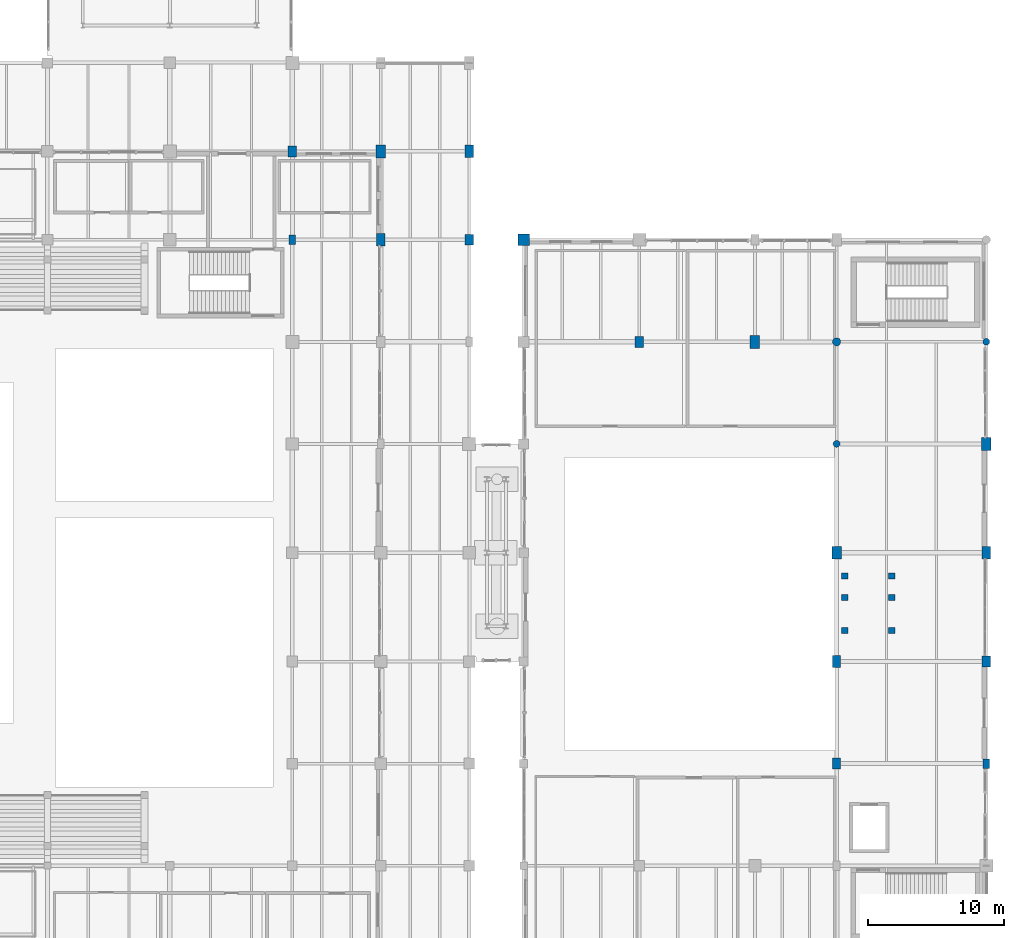
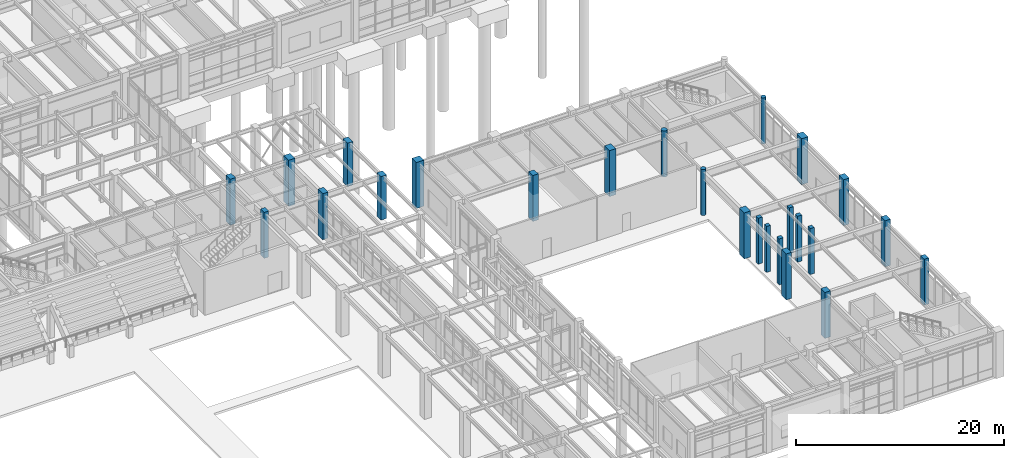
# One storey, part 20 of 203: 25 columns.
"""IFC4 building model written with IfcOpenShell, lengths in metres."""

from ifc_helpers import new_model, si_unit, direction, frame, origin, origin_2d, place, context, subcontext, project, spatial, rectangle, circle, extrude, material, material_profile, profile_set, type_object, element, save


model = new_model("IFC4")

# Units and contexts
model_context = context("Model", 3, precision=1e-05, world=origin(), true_north=direction((0.0, 1.0)))
body_context = subcontext(model_context, "Body", "Model", "MODEL_VIEW")
ifc_project = project(units=[si_unit("LENGTHUNIT", "METRE"), si_unit("AREAUNIT", "SQUARE_METRE"), si_unit("VOLUMEUNIT", "CUBIC_METRE"), si_unit("PLANEANGLEUNIT", "RADIAN"), si_unit("MASSUNIT", "GRAM", prefix="KILO"), si_unit("THERMODYNAMICTEMPERATUREUNIT", "KELVIN"), si_unit("POWERUNIT", "WATT")], contexts=[model_context])

# Site, building, storey
site_placement = place(None, origin())
site = spatial("IfcSite", under=ifc_project, at=site_placement, CompositionType="ELEMENT")
building_placement = place(site_placement, origin())
building = spatial("IfcBuilding", under=site, at=building_placement, Name="Tepalcoro Natatorium and Aquatics Centre", CompositionType="ELEMENT")
storey_placement = place(building_placement, origin())
storey = spatial("IfcBuildingStorey", under=building, at=storey_placement, Name="L00", CompositionType="ELEMENT", Elevation=0.0)

# Columns
ifc_material = material(Name="Concrete C40/50 (fc 40 MPa)", Category="concrete")
ifc_material_profile_1 = material_profile(ifc_material, rectangle(XDim=0.449951171875, YDim=0.449951171875, at=origin_2d()), Name="RC450x450")
ifc_profile_set_1 = profile_set([ifc_material_profile_1], Name="Concrete C40/50 (fc 40 MPa)")
column_type_1 = type_object("IfcColumnType", Name="COL_RC_450x450", PredefinedType="COLUMN", material=ifc_profile_set_1)
for number, where, z_axis, x_axis, name in (
    (1, (165.60009765625, 30.300048828125, 0.0), (0.0, 0.0, 1.0), (1.0, 0.0, 0.0), "Diving Tower Platform Column L00"),
    (2, (165.60009765625, 32.699951171875, 0.0), (0.0, 0.0, 1.0), (1.0, 0.0, 0.0), "Diving Tower Platform Column L00"),
    (3, (165.60009765625, 34.300048828125, 0.0), (0.0, 0.0, 1.0), (1.0, 0.0, 0.0), "Diving Tower Platform Column L00"),
    (4, (169.050048828125, 30.300048828125, 0.0), (0.0, 0.0, 1.0), (1.0, 0.0, 0.0), "Diving Tower Platform Column L00"),
    (5, (169.050048828125, 32.699951171875, 0.0), (0.0, 0.0, 1.0), (1.0, 0.0, 0.0), "Diving Tower Platform Column L00"),
    (6, (169.050048828125, 34.300048828125, 0.0), (0.0, 0.0, 1.0), (1.0, 0.0, 0.0), "Diving Tower Platform Column L00"),
):
    element("IfcColumn", number, at=place(storey_placement, frame(where, z_axis=z_axis, x_axis=x_axis)), inside=storey, type_object=column_type_1, Name=name, PredefinedType="COLUMN", context=body_context, shape_type="SweptSolid", body=[
        extrude(rectangle(XDim=0.449951171875, YDim=0.449951171875, at=origin_2d()), origin(), (0.0, 0.0, 1.0), 5.39990234375),
    ])
ifc_material_profile_2 = material_profile(ifc_material, rectangle(XDim=0.5, YDim=0.699951171875, at=origin_2d()), Name="RC500x700")
ifc_profile_set_2 = profile_set([ifc_material_profile_2], Name="Concrete C40/50 (fc 40 MPa)")
column_type_2 = type_object("IfcColumnType", Name="COL_RC_500x700", PredefinedType="COLUMN", material=ifc_profile_set_2)
for number, where, z_axis, x_axis, name in (
    (7, (125.0, 59.0, 0.0), (0.0, 0.0, 1.0), (1.0, 0.0, 0.0), "V1 L00 Grid Column (125.0, 59.0)"),
    (8, (176.0, 20.5, 0.0), (0.0, 0.0, 1.0), (1.0, 0.0, 0.0), "V2 L00 Grid Column (176.0, 20.5)"),
):
    element("IfcColumn", number, at=place(storey_placement, frame(where, z_axis=z_axis, x_axis=x_axis)), inside=storey, type_object=column_type_2, Name=name, PredefinedType="COLUMN", context=body_context, shape_type="SweptSolid", body=[
        extrude(rectangle(XDim=0.5, YDim=0.699951171875, at=origin_2d()), origin(), (0.0, 0.0, 1.0), 5.39990234375),
    ])
ifc_material_profile_3 = material_profile(ifc_material, rectangle(XDim=0.60009765625, YDim=0.800048828125, at=origin_2d()), Name="RC600x800")
ifc_profile_set_3 = profile_set([ifc_material_profile_3], Name="Concrete C40/50 (fc 40 MPa)")
column_type_3 = type_object("IfcColumnType", Name="COL_RC_600x800", PredefinedType="COLUMN", material=ifc_profile_set_3)
column_1_placement = place(storey_placement, frame((125.0, 65.5, 0.0), z_axis=(0.0, 0.0, 1.0), x_axis=(1.0, 0.0, 0.0)))
element("IfcColumn", 9, at=column_1_placement, inside=storey, type_object=column_type_3, Name="V1 L00 Grid Column (125.0, 65.5)", PredefinedType="COLUMN", context=body_context, shape_type="SweptSolid", body=[
    extrude(rectangle(XDim=0.60009765625, YDim=0.800048828125, at=origin_2d()), origin(), (0.0, 0.0, 1.0), 5.39990234375),
])
column_2_placement = place(storey_placement, frame((138.0, 59.0, 0.0), z_axis=(0.0, 0.0, 1.0), x_axis=(1.0, 0.0, 0.0)))
element("IfcColumn", 10, at=column_2_placement, inside=storey, type_object=column_type_3, Name="V1 L00 Grid Column (138.0, 59.0)", PredefinedType="COLUMN", context=body_context, shape_type="SweptSolid", body=[
    extrude(rectangle(XDim=0.60009765625, YDim=0.800048828125, at=origin_2d()), origin(), (0.0, 0.0, 1.0), 5.10009765625),
])
for number, where, z_axis, x_axis, name in (
    (11, (150.5, 51.5, 0.0), (0.0, 0.0, 1.0), (1.0, 0.0, 0.0), "V2 L00 Grid Column (150.5, 51.5)"),
    (12, (165.0, 20.5, 0.0), (0.0, 0.0, 1.0), (1.0, 0.0, 0.0), "V2 L00 Grid Column (165.0, 20.5)"),
    (13, (176.0, 28.0, 0.0), (0.0, 0.0, 1.0), (1.0, 0.0, 0.0), "V2 L00 Grid Column (176.0, 28.0)"),
):
    element("IfcColumn", number, at=place(storey_placement, frame(where, z_axis=z_axis, x_axis=x_axis)), inside=storey, type_object=column_type_3, Name=name, PredefinedType="COLUMN", context=body_context, shape_type="SweptSolid", body=[
        extrude(rectangle(XDim=0.60009765625, YDim=0.800048828125, at=origin_2d()), origin(), (0.0, 0.0, 1.0), 5.39990234375),
    ])
ifc_material_profile_4 = material_profile(ifc_material, rectangle(XDim=0.60009765625, YDim=0.89990234375, at=origin_2d()), Name="RC600x900")
ifc_profile_set_4 = profile_set([ifc_material_profile_4], Name="Concrete C40/50 (fc 40 MPa)")
column_type_4 = type_object("IfcColumnType", Name="COL_RC_600x900", PredefinedType="COLUMN", material=ifc_profile_set_4)
column_3_placement = place(storey_placement, frame((131.5, 59.0, 0.0), z_axis=(0.0, 0.0, 1.0), x_axis=(1.0, 0.0, 0.0)))
element("IfcColumn", 14, at=column_3_placement, inside=storey, type_object=column_type_4, Name="V1 L00 Grid Column (131.5, 59.0)", PredefinedType="COLUMN", context=body_context, shape_type="SweptSolid", body=[
    extrude(rectangle(XDim=0.60009765625, YDim=0.89990234375, at=origin_2d()), origin(), (0.0, 0.0, 1.0), 5.39990234375),
])
column_4_placement = place(storey_placement, frame((138.0, 65.5, 0.0), z_axis=(0.0, 0.0, 1.0), x_axis=(1.0, 0.0, 0.0)))
element("IfcColumn", 15, at=column_4_placement, inside=storey, type_object=column_type_4, Name="V1 L00 Grid Column (138.0, 65.5)", PredefinedType="COLUMN", context=body_context, shape_type="SweptSolid", body=[
    extrude(rectangle(XDim=0.60009765625, YDim=0.89990234375, at=origin_2d()), origin(), (0.0, 0.0, 1.0), 5.10009765625),
])
for number, where, z_axis, x_axis, name in (
    (16, (165.0, 28.0, 0.0), (0.0, 0.0, 1.0), (1.0, 0.0, 0.0), "V2 L00 Grid Column (165.0, 28.0)"),
    (17, (176.0, 36.0, 0.0), (0.0, 0.0, 1.0), (1.0, 0.0, 0.0), "V2 L00 Grid Column (176.0, 36.0)"),
):
    element("IfcColumn", number, at=place(storey_placement, frame(where, z_axis=z_axis, x_axis=x_axis)), inside=storey, type_object=column_type_4, Name=name, PredefinedType="COLUMN", context=body_context, shape_type="SweptSolid", body=[
        extrude(rectangle(XDim=0.60009765625, YDim=0.89990234375, at=origin_2d()), origin(), (0.0, 0.0, 1.0), 5.39990234375),
    ])
ifc_material_profile_5 = material_profile(ifc_material, rectangle(XDim=0.699951171875, YDim=0.949951171875, at=origin_2d()), Name="RC700x950")
ifc_profile_set_5 = profile_set([ifc_material_profile_5], Name="Concrete C40/50 (fc 40 MPa)")
column_type_5 = type_object("IfcColumnType", Name="COL_RC_700x950", PredefinedType="COLUMN", material=ifc_profile_set_5)
for number, where, z_axis, x_axis, name in (
    (18, (131.5, 65.5, 0.0), (0.0, 0.0, 1.0), (1.0, 0.0, 0.0), "V1 L00 Grid Column (131.5, 65.5)"),
    (19, (159.0, 51.5, 0.0), (0.0, 0.0, 1.0), (1.0, 0.0, 0.0), "V2 L00 Grid Column (159.0, 51.5)"),
    (20, (165.0, 36.0, 0.0), (0.0, 0.0, 1.0), (1.0, 0.0, 0.0), "V2 L00 Grid Column (165.0, 36.0)"),
    (21, (176.0, 44.0, 0.0), (0.0, 0.0, 1.0), (1.0, 0.0, 0.0), "V2 L00 Grid Column (176.0, 44.0)"),
):
    element("IfcColumn", number, at=place(storey_placement, frame(where, z_axis=z_axis, x_axis=x_axis)), inside=storey, type_object=column_type_5, Name=name, PredefinedType="COLUMN", context=body_context, shape_type="SweptSolid", body=[
        extrude(rectangle(XDim=0.699951171875, YDim=0.949951171875, at=origin_2d()), origin(), (0.0, 0.0, 1.0), 5.39990234375),
    ])
ifc_material_profile_6 = material_profile(ifc_material, rectangle(XDim=0.85009765625, YDim=0.85009765625, at=origin_2d()), Name="RC850x850")
ifc_profile_set_6 = profile_set([ifc_material_profile_6], Name="Concrete C40/50 (fc 40 MPa)")
column_type_6 = type_object("IfcColumnType", Name="COL_RC_850x850", PredefinedType="COLUMN", material=ifc_profile_set_6)
column_5_placement = place(storey_placement, frame((142.0, 59.0, 0.0), z_axis=(0.0, 0.0, 1.0), x_axis=(1.0, 0.0, 0.0)))
element("IfcColumn", 22, at=column_5_placement, inside=storey, type_object=column_type_6, Name="V2 L00 Grid Column (142.0, 59.0)", PredefinedType="COLUMN", context=body_context, shape_type="SweptSolid", body=[
    extrude(rectangle(XDim=0.85009765625, YDim=0.85009765625, at=origin_2d()), origin(), (0.0, 0.0, 1.0), 5.39990234375),
])
ifc_material_profile_7 = material_profile(ifc_material, circle(Radius=0.25, at=origin_2d()), Name="RCD500")
ifc_profile_set_7 = profile_set([ifc_material_profile_7], Name="Concrete C40/50 (fc 40 MPa)")
column_type_7 = type_object("IfcColumnType", Name="COL_RC_D500", PredefinedType="COLUMN", material=ifc_profile_set_7)
for number, where, z_axis, x_axis, name in (
    (23, (165.0, 44.0, 0.0), (0.0, 0.0, 1.0), (1.0, 0.0, 0.0), "V2 L00 Grid Column (165.0, 44.0)"),
    (24, (176.0, 51.5, 0.0), (0.0, 0.0, 1.0), (1.0, 0.0, 0.0), "V2 L00 Grid Column (176.0, 51.5)"),
):
    element("IfcColumn", number, at=place(storey_placement, frame(where, z_axis=z_axis, x_axis=x_axis)), inside=storey, type_object=column_type_7, Name=name, PredefinedType="COLUMN", context=body_context, shape_type="SweptSolid", body=[
        extrude(circle(Radius=0.25, at=origin_2d()), origin(), (0.0, 0.0, 1.0), 5.39990234375),
    ])
ifc_material_profile_8 = material_profile(ifc_material, circle(Radius=0.300048828125, at=origin_2d()), Name="RCD600")
ifc_profile_set_8 = profile_set([ifc_material_profile_8], Name="Concrete C40/50 (fc 40 MPa)")
column_type_8 = type_object("IfcColumnType", Name="COL_RC_D600", PredefinedType="COLUMN", material=ifc_profile_set_8)
column_6_placement = place(storey_placement, frame((165.0, 51.5, 0.0), z_axis=(0.0, 0.0, 1.0), x_axis=(1.0, 0.0, 0.0)))
element("IfcColumn", 25, at=column_6_placement, inside=storey, type_object=column_type_8, Name="V2 L00 Grid Column (165.0, 51.5)", PredefinedType="COLUMN", context=body_context, shape_type="SweptSolid", body=[
    extrude(circle(Radius=0.300048828125, at=origin_2d()), origin(), (0.0, 0.0, 1.0), 5.39990234375),
])

save(model, "model.ifc")
